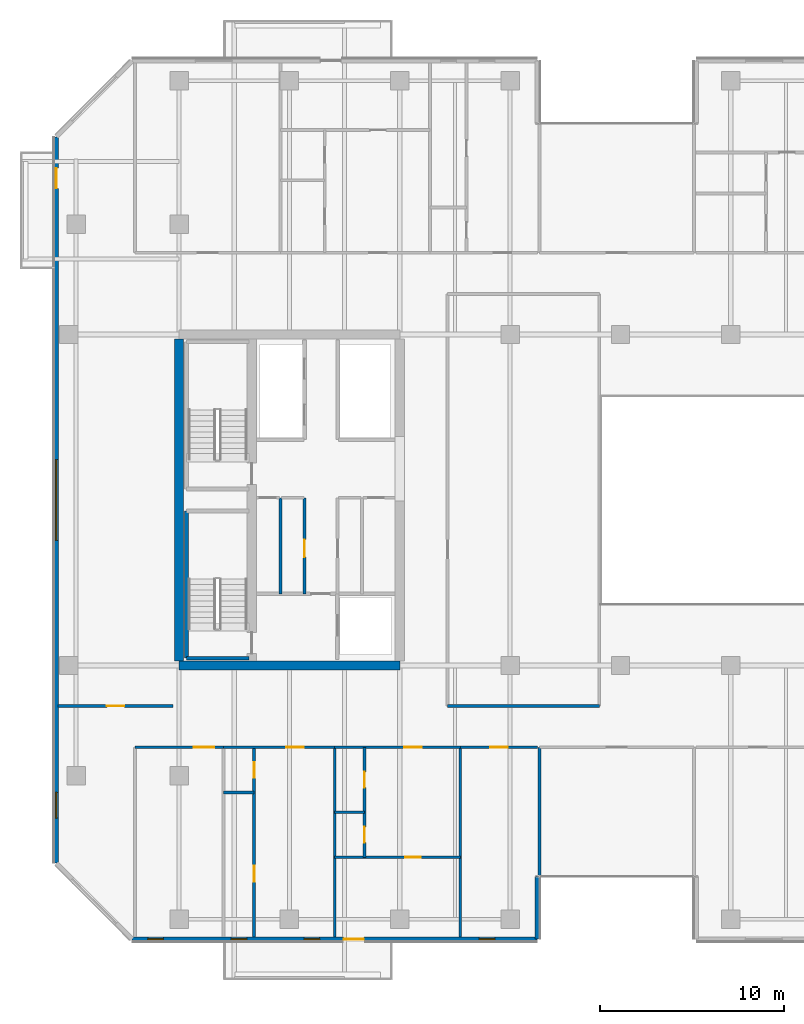
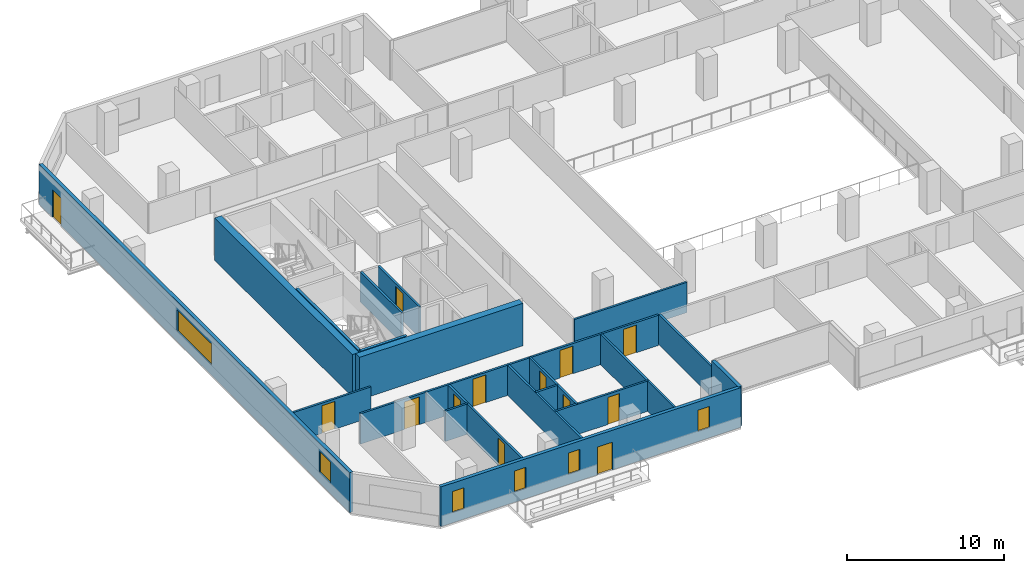
# One storey, part 10 of 23: 23 walls, 13 doors, 6 windows, 19 openings.
"""IFC4 building model written with IfcOpenShell, lengths in metres."""

from ifc_helpers import new_model, si_unit, direction, frame, frame_2d, origin, place, context, subcontext, project, spatial, rectangle, extrude, material, layer, layer_set, type_object, element, fill, save


model = new_model("IFC4")

# Units and contexts
model_context = context("Model", 3, precision=1e-05, world=origin(), true_north=direction((0.0, 1.0)))
body_context = subcontext(model_context, "Body", "Model", "MODEL_VIEW")
ifc_project = project(units=[si_unit("LENGTHUNIT", "METRE"), si_unit("AREAUNIT", "SQUARE_METRE"), si_unit("VOLUMEUNIT", "CUBIC_METRE"), si_unit("PLANEANGLEUNIT", "RADIAN"), si_unit("MASSUNIT", "GRAM", prefix="KILO")], contexts=[model_context])

# Site, building, storey
site_placement = place(None, origin())
site = spatial("IfcSite", under=ifc_project, at=site_placement, CompositionType="ELEMENT")
building_placement = place(site_placement, origin())
building = spatial("IfcBuilding", under=site, at=building_placement, Name="Tanjung Sevakor Pilgrim Tower", CompositionType="ELEMENT")
storey_placement = place(building_placement, frame((0.0, 0.0, 88.77001953125)))
storey = spatial("IfcBuildingStorey", under=building, at=storey_placement, Name="L24", CompositionType="ELEMENT", Elevation=88.77001953125)

# Walls
ifc_material_1 = material(Name="Concrete C60/75", Category="concrete")
ifc_layer_1 = layer(ifc_material_1, 0.5)
ifc_layer_set_1 = layer_set([ifc_layer_1], Name="WALL-CW-500")
wall_type_1 = type_object("IfcWallType", Name="WALL-CW-500", PredefinedType="SHEAR", material=ifc_layer_set_1)
wall_1_placement = place(storey_placement, frame((24.0, 24.60009765625, 0.0), z_axis=(0.0, 0.0, 1.0), x_axis=(1.0, 0.0, 0.0)))
element("IfcWall", 1, at=wall_1_placement, inside=storey, type_object=wall_type_1, Name="L24 W Core South Shear Wall", PredefinedType="SHEAR", context=body_context, shape_type="SweptSolid", body=[
    extrude(rectangle(XDim=12.0, YDim=0.5, at=frame_2d((6.0, 0.0))), origin(), (0.0, 0.0, 1.0), 3.300048828125),
])
wall_2_placement = place(storey_placement, frame((24.0, 24.85009765625, 0.0), z_axis=(0.0, 0.0, 1.0), x_axis=(0.0, 1.0, 0.0)))
element("IfcWall", 2, at=wall_2_placement, inside=storey, type_object=wall_type_1, Name="L24 W Core Outer Shear Wall", PredefinedType="SHEAR", context=body_context, shape_type="SweptSolid", body=[
    extrude(rectangle(XDim=17.5, YDim=0.5, at=frame_2d((8.75, 0.0))), origin(), (0.0, 0.0, 1.0), 3.300048828125),
])
ifc_material_2 = material(Name="Concrete C40/50", Category="concrete")
ifc_layer_2 = layer(ifc_material_2, 0.14990234375)
ifc_layer_set_2 = layer_set([ifc_layer_2], Name="WT-COMP-150")
wall_type_2 = type_object("IfcWallType", Name="WT-COMP-150", PredefinedType="SOLIDWALL", material=ifc_layer_set_2)
wall_3_placement = place(storey_placement, frame((29.52001953125, 28.5, 0.0), z_axis=(0.0, 0.0, 1.0), x_axis=(0.0, 1.0, 0.0)))
element("IfcWall", 3, at=wall_3_placement, inside=storey, type_object=wall_type_2, Name="L24 Partition IW-L24-003", PredefinedType="SOLIDWALL", context=body_context, shape_type="SweptSolid", body=[
    extrude(rectangle(XDim=5.219970703125, YDim=0.14990234375, at=frame_2d((2.60986328125, 0.0))), origin(), (0.0, 0.0, 1.0), 2.35009765625),
])

# Wall, opening, door
wall_4_placement = place(storey_placement, frame((30.820068359375, 28.5, 0.0), z_axis=(0.0, 0.0, 1.0), x_axis=(0.0, 1.0, 0.0)))
wall_4 = element("IfcWall", 4, at=wall_4_placement, inside=storey, type_object=wall_type_2, Name="L24 Partition IW-L24-006", PredefinedType="SOLIDWALL", context=body_context, shape_type="SweptSolid", body=[
    extrude(rectangle(XDim=5.219970703125, YDim=0.14990234375, at=frame_2d((2.60986328125, 0.0))), origin(), (0.0, 0.0, 1.0), 2.35009765625),
])
opening_1_placement = place(wall_4_placement, frame((2.0, 0.0, 0.0)))
opening_1 = element("IfcOpeningElement", 5, at=opening_1_placement, cuts=wall_4, Name="Opening ID-FD2", PredefinedType="OPENING", context=body_context, shape_type="SweptSolid", body=[
    extrude(rectangle(XDim=0.949951171875, YDim=2.14990234375, at=frame_2d((0.47509765625, 1.074951171875))), frame((0.0, 0.0849609375, 0.0), z_axis=(0.0, -1.0, 0.0), x_axis=(1.0, 0.0, 0.0)), (0.0, 0.0, 1.0), 0.169921875),
])
ifc_material_3 = material(Name="Fire-Rated Timber", Category="wood")
door_type_1 = type_object("IfcDoorType", Name="DT-FIRE-950", OperationType="NOTDEFINED", PredefinedType="DOOR", material=ifc_material_3)
door_1_placement = place(opening_1_placement, origin())
door_1 = element("IfcDoor", 6, at=door_1_placement, inside=storey, type_object=door_type_1, Name="L24 Housekeeping Pantry Door", OperationType="SINGLE_SWING_RIGHT", OverallHeight=2.14990234375, OverallWidth=0.949951171875, PredefinedType="DOOR", context=body_context, shape_type="SweptSolid", body=[
    extrude(rectangle(XDim=0.949951171875, YDim=2.14990234375, at=frame_2d((0.47509765625, 1.074951171875))), frame((0.0, 0.02490234375, 0.0), z_axis=(0.0, -1.0, 0.0), x_axis=(1.0, 0.0, 0.0)), (0.0, 0.0, 1.0), 0.050048828125),
])
fill(opening_1, door_1)

# Wall
wall_5_placement = place(storey_placement, frame((38.60009765625, 22.39990234375, 0.0), z_axis=(0.0, 0.0, 1.0), x_axis=(1.0, 0.0, 0.0)))
element("IfcWall", 7, at=wall_5_placement, inside=storey, type_object=wall_type_2, Name="L24 Partition IW-L24-029", PredefinedType="SOLIDWALL", context=body_context, shape_type="SweptSolid", body=[
    extrude(rectangle(XDim=8.25, YDim=0.14990234375, at=frame_2d((4.125, 0.0))), origin(), (0.0, 0.0, 1.0), 2.35009765625),
])

# Wall, opening, door
wall_6_placement = place(storey_placement, frame((17.409912109375, 22.39990234375, 0.0), z_axis=(0.0, 0.0, 1.0), x_axis=(1.0, 0.0, 0.0)))
wall_6 = element("IfcWall", 8, at=wall_6_placement, inside=storey, type_object=wall_type_2, Name="L24 Partition IW-L24-037", PredefinedType="SOLIDWALL", context=body_context, shape_type="SweptSolid", body=[
    extrude(rectangle(XDim=6.27001953125, YDim=0.14990234375, at=frame_2d((3.135009765625, 0.0))), origin(), (0.0, 0.0, 1.0), 2.35009765625),
])
opening_2_placement = place(wall_6_placement, frame((2.659912109375, 0.0, 0.0)))
opening_2 = element("IfcOpeningElement", 9, at=opening_2_placement, cuts=wall_6, Name="Opening ID-FD2", PredefinedType="OPENING", context=body_context, shape_type="SweptSolid", body=[
    extrude(rectangle(XDim=0.949951171875, YDim=2.14990234375, at=frame_2d((0.47509765625, 1.074951171875))), frame((0.0, 0.0849609375, 0.0), z_axis=(0.0, -1.0, 0.0), x_axis=(1.0, 0.0, 0.0)), (0.0, 0.0, 1.0), 0.169921875),
])
door_2_placement = place(opening_2_placement, origin())
door_2 = element("IfcDoor", 10, at=door_2_placement, inside=storey, type_object=door_type_1, Name="Study Room Entrance", OperationType="SINGLE_SWING_LEFT", OverallHeight=2.14990234375, OverallWidth=0.949951171875, PredefinedType="DOOR", context=body_context, shape_type="SweptSolid", body=[
    extrude(rectangle(XDim=0.949951171875, YDim=2.14990234375, at=frame_2d((0.47509765625, 1.074951171875))), frame((0.0, 0.02490234375, 0.0), z_axis=(0.0, -1.0, 0.0), x_axis=(1.0, 0.0, 0.0)), (0.0, 0.0, 1.0), 0.050048828125),
])
fill(opening_2, door_2)

# Wall
wall_7_placement = place(storey_placement, frame((43.60009765625, 9.85009765625, 0.0), z_axis=(0.0, 0.0, 1.0), x_axis=(0.0, 1.0, 0.0)))
element("IfcWall", 11, at=wall_7_placement, inside=storey, type_object=wall_type_2, Name="L24 Partition IW-L24-046", PredefinedType="SOLIDWALL", context=body_context, shape_type="SweptSolid", body=[
    extrude(rectangle(XDim=10.2998046875, YDim=0.14990234375, at=frame_2d((5.14990234375, 0.0))), origin(), (0.0, 0.0, 1.0), 2.35009765625),
])

# Wall, opening, door
wall_8_placement = place(storey_placement, frame((21.60009765625, 20.14990234375, 0.0), z_axis=(0.0, 0.0, 1.0), x_axis=(1.0, 0.0, 0.0)))
wall_8 = element("IfcWall", 12, at=wall_8_placement, inside=storey, type_object=wall_type_2, Name="L24 Partition IW-L24-053", PredefinedType="SOLIDWALL", context=body_context, shape_type="SweptSolid", body=[
    extrude(rectangle(XDim=4.810302734375, YDim=0.14990234375, at=frame_2d((2.4052734375, 0.0))), origin(), (0.0, 0.0, 1.0), 2.35009765625),
])
opening_3_placement = place(wall_8_placement, frame((3.205078125, 0.0, 0.0)))
opening_3 = element("IfcOpeningElement", 13, at=opening_3_placement, cuts=wall_8, Name="Opening ID-FD0", PredefinedType="OPENING", context=body_context, shape_type="SweptSolid", body=[
    extrude(rectangle(XDim=1.10009765625, YDim=2.14990234375, at=frame_2d((0.550048828125, 1.074951171875))), frame((0.0, 0.0849609375, 0.0), z_axis=(0.0, -1.0, 0.0), x_axis=(1.0, 0.0, 0.0)), (0.0, 0.0, 1.0), 0.169921875),
])
ifc_material_4 = material(Name="Fire-Rated Steel S355J2", Category="steel")
door_type_2 = type_object("IfcDoorType", Name="DT-FIRE-1100", OperationType="NOTDEFINED", PredefinedType="DOOR", material=ifc_material_4)
door_3_placement = place(opening_3_placement, origin())
door_3 = element("IfcDoor", 14, at=door_3_placement, inside=storey, type_object=door_type_2, Name="Communal Lounge Door", OperationType="SINGLE_SWING_LEFT", OverallHeight=2.14990234375, OverallWidth=1.10009765625, PredefinedType="DOOR", context=body_context, shape_type="SweptSolid", body=[
    extrude(rectangle(XDim=1.10009765625, YDim=2.14990234375, at=frame_2d((0.550048828125, 1.074951171875))), frame((0.0, 0.02490234375, 0.0), z_axis=(0.0, -1.0, 0.0), x_axis=(1.0, 0.0, 0.0)), (0.0, 0.0, 1.0), 0.050048828125),
])
fill(opening_3, door_3)

# Wall
wall_9_placement = place(storey_placement, frame((32.46240234375, 9.85009765625, 0.0), z_axis=(0.0, 0.0, 1.0), x_axis=(0.0, 1.0, 0.0)))
element("IfcWall", 15, at=wall_9_placement, inside=storey, type_object=wall_type_2, Name="L24 Partition IW-L24-054", PredefinedType="SOLIDWALL", context=body_context, shape_type="SweptSolid", body=[
    extrude(rectangle(XDim=10.2998046875, YDim=0.14990234375, at=frame_2d((5.14990234375, 0.0))), origin(), (0.0, 0.0, 1.0), 2.35009765625),
])

# Wall, opening, door
wall_10_placement = place(storey_placement, frame((26.410400390625, 20.14990234375, 0.0), z_axis=(0.0, 0.0, 1.0), x_axis=(1.0, 0.0, 0.0)))
wall_10 = element("IfcWall", 16, at=wall_10_placement, inside=storey, type_object=wall_type_2, Name="L24 Partition IW-L24-057", PredefinedType="SOLIDWALL", context=body_context, shape_type="SweptSolid", body=[
    extrude(rectangle(XDim=6.052001953125, YDim=0.14990234375, at=frame_2d((3.02587890625, 0.0))), origin(), (0.0, 0.0, 1.0), 2.35009765625),
])
opening_4_placement = place(wall_10_placement, frame((3.42578125, 0.0, 0.0)))
opening_4 = element("IfcOpeningElement", 17, at=opening_4_placement, cuts=wall_10, Name="Opening ID-FD2", PredefinedType="OPENING", context=body_context, shape_type="SweptSolid", body=[
    extrude(rectangle(XDim=0.949951171875, YDim=2.14990234375, at=frame_2d((0.47509765625, 1.074951171875))), frame((0.0, 0.0849609375, 0.0), z_axis=(0.0, -1.0, 0.0), x_axis=(1.0, 0.0, 0.0)), (0.0, 0.0, 1.0), 0.169921875),
])
door_4_placement = place(opening_4_placement, origin())
door_4 = element("IfcDoor", 18, at=door_4_placement, inside=storey, type_object=door_type_1, Name="Hostel Quad Entrance", OperationType="SINGLE_SWING_RIGHT", OverallHeight=2.14990234375, OverallWidth=0.949951171875, PredefinedType="DOOR", context=body_context, shape_type="SweptSolid", body=[
    extrude(rectangle(XDim=0.949951171875, YDim=2.14990234375, at=frame_2d((0.47509765625, 1.074951171875))), frame((0.0, 0.02490234375, 0.0), z_axis=(0.0, -1.0, 0.0), x_axis=(1.0, 0.0, 0.0)), (0.0, 0.0, 1.0), 0.050048828125),
])
fill(opening_4, door_4)

# Wall
wall_11_placement = place(storey_placement, frame((39.290283203125, 9.85009765625, 0.0), z_axis=(0.0, 0.0, 1.0), x_axis=(0.0, 1.0, 0.0)))
element("IfcWall", 19, at=wall_11_placement, inside=storey, type_object=wall_type_2, Name="L24 Partition IW-L24-058", PredefinedType="SOLIDWALL", context=body_context, shape_type="SweptSolid", body=[
    extrude(rectangle(XDim=10.2998046875, YDim=0.14990234375, at=frame_2d((5.14990234375, 0.0))), origin(), (0.0, 0.0, 1.0), 2.35009765625),
])

# Wall, opening, door
wall_12_placement = place(storey_placement, frame((32.46240234375, 20.14990234375, 0.0), z_axis=(0.0, 0.0, 1.0), x_axis=(1.0, 0.0, 0.0)))
wall_12 = element("IfcWall", 20, at=wall_12_placement, inside=storey, type_object=wall_type_2, Name="L24 Partition IW-L24-062", PredefinedType="SOLIDWALL", context=body_context, shape_type="SweptSolid", body=[
    extrude(rectangle(XDim=6.827880859375, YDim=0.14990234375, at=frame_2d((3.4140625, 0.0))), origin(), (0.0, 0.0, 1.0), 2.35009765625),
])
opening_5_placement = place(wall_12_placement, frame((3.78759765625, 0.0, 0.0)))
opening_5 = element("IfcOpeningElement", 21, at=opening_5_placement, cuts=wall_12, Name="Opening ID-FD2", PredefinedType="OPENING", context=body_context, shape_type="SweptSolid", body=[
    extrude(rectangle(XDim=0.949951171875, YDim=2.14990234375, at=frame_2d((0.47509765625, 1.074951171875))), frame((0.0, 0.0849609375, 0.0), z_axis=(0.0, -1.0, 0.0), x_axis=(1.0, 0.0, 0.0)), (0.0, 0.0, 1.0), 0.169921875),
])
door_5_placement = place(opening_5_placement, origin())
door_5 = element("IfcDoor", 22, at=door_5_placement, inside=storey, type_object=door_type_1, Name="Residence Entrance", OperationType="SINGLE_SWING_RIGHT", OverallHeight=2.14990234375, OverallWidth=0.949951171875, PredefinedType="DOOR", context=body_context, shape_type="SweptSolid", body=[
    extrude(rectangle(XDim=0.949951171875, YDim=2.14990234375, at=frame_2d((0.47509765625, 1.074951171875))), frame((0.0, 0.02490234375, 0.0), z_axis=(0.0, -1.0, 0.0), x_axis=(1.0, 0.0, 0.0)), (0.0, 0.0, 1.0), 0.050048828125),
])
fill(opening_5, door_5)

wall_13_placement = place(storey_placement, frame((39.290283203125, 20.14990234375, 0.0), z_axis=(0.0, 0.0, 1.0), x_axis=(1.0, 0.0, 0.0)))
wall_13 = element("IfcWall", 23, at=wall_13_placement, inside=storey, type_object=wall_type_2, Name="L24 Partition IW-L24-063", PredefinedType="SOLIDWALL", context=body_context, shape_type="SweptSolid", body=[
    extrude(rectangle(XDim=4.189697265625, YDim=0.14990234375, at=frame_2d((2.0947265625, 0.0))), origin(), (0.0, 0.0, 1.0), 2.35009765625),
])
opening_6_placement = place(wall_13_placement, frame((1.619873046875, 0.0, 0.0)))
opening_6 = element("IfcOpeningElement", 24, at=opening_6_placement, cuts=wall_13, Name="Opening ID-FD2", PredefinedType="OPENING", context=body_context, shape_type="SweptSolid", body=[
    extrude(rectangle(XDim=0.949951171875, YDim=2.14990234375, at=frame_2d((0.47509765625, 1.074951171875))), frame((0.0, 0.0849609375, 0.0), z_axis=(0.0, -1.0, 0.0), x_axis=(1.0, 0.0, 0.0)), (0.0, 0.0, 1.0), 0.169921875),
])
door_6_placement = place(opening_6_placement, origin())
door_6 = element("IfcDoor", 25, at=door_6_placement, inside=storey, type_object=door_type_1, Name="Study Room Entrance", OperationType="SINGLE_SWING_LEFT", OverallHeight=2.14990234375, OverallWidth=0.949951171875, PredefinedType="DOOR", context=body_context, shape_type="SweptSolid", body=[
    extrude(rectangle(XDim=0.949951171875, YDim=2.14990234375, at=frame_2d((0.47509765625, 1.074951171875))), frame((0.0, 0.02490234375, 0.0), z_axis=(0.0, -1.0, 0.0), x_axis=(1.0, 0.0, 0.0)), (0.0, 0.0, 1.0), 0.050048828125),
])
fill(opening_6, door_6)

# Wall, openings, door, windows
ifc_material_5 = material(Name="Precast concrete C45/55", Category="concrete")
ifc_layer_3 = layer(ifc_material_5, 0.25)
ifc_layer_set_3 = layer_set([ifc_layer_3], Name="WT-EW-STN3")
wall_type_3 = type_object("IfcWallType", Name="WT-EW-STN3", PredefinedType="SOLIDWALL", material=ifc_layer_set_3)
wall_14_placement = place(storey_placement, frame((21.451904296875, 9.72509765625, 0.0), z_axis=(0.0, 0.0, 1.0), x_axis=(1.0, 0.0, 0.0)))
wall_14 = element("IfcWall", 26, at=wall_14_placement, inside=storey, type_object=wall_type_3, Name="L24 MAIN Exterior Wall 1", PredefinedType="SOLIDWALL", context=body_context, shape_type="SweptSolid", body=[
    extrude(rectangle(XDim=22.023193359375, YDim=0.25, at=frame_2d((11.01171875, 0.0))), origin(), (0.0, 0.0, 1.0), 3.080078125),
])
opening_7_placement = place(wall_14_placement, frame((11.498291015625, 0.0, 0.0)))
opening_7 = element("IfcOpeningElement", 27, at=opening_7_placement, cuts=wall_14, Name="Opening ED-BAL-1100", PredefinedType="OPENING", context=body_context, shape_type="SweptSolid", body=[
    extrude(rectangle(XDim=1.10009765625, YDim=2.14990234375, at=frame_2d((0.550048828125, 1.074951171875))), frame((0.0, 0.135009765625, 0.0), z_axis=(0.0, -1.0, 0.0), x_axis=(1.0, 0.0, 0.0)), (0.0, 0.0, 1.0), 0.27001953125),
])
opening_8_placement = place(wall_14_placement, frame((0.848388671875, 0.0, 0.780029296875)))
opening_8 = element("IfcOpeningElement", 28, at=opening_8_placement, cuts=wall_14, Name="Opening WN-SLM", PredefinedType="OPENING", context=body_context, shape_type="SweptSolid", body=[
    extrude(rectangle(XDim=0.85009765625, YDim=1.64990234375, at=frame_2d((0.425048828125, 0.824951171875))), frame((0.0, 0.135009765625, 0.0), z_axis=(0.0, -1.0, 0.0), x_axis=(1.0, 0.0, 0.0)), (0.0, 0.0, 1.0), 0.27001953125),
])
opening_9_placement = place(wall_14_placement, frame((5.37841796875, 0.0, 0.780029296875)))
opening_9 = element("IfcOpeningElement", 29, at=opening_9_placement, cuts=wall_14, Name="Opening WN-SLM", PredefinedType="OPENING", context=body_context, shape_type="SweptSolid", body=[
    extrude(rectangle(XDim=0.85009765625, YDim=1.64990234375, at=frame_2d((0.425048828125, 0.824951171875))), frame((0.0, 0.135009765625, 0.0), z_axis=(0.0, -1.0, 0.0), x_axis=(1.0, 0.0, 0.0)), (0.0, 0.0, 1.0), 0.27001953125),
])
opening_10_placement = place(wall_14_placement, frame((9.344482421875, 0.0, 0.780029296875)))
opening_10 = element("IfcOpeningElement", 30, at=opening_10_placement, cuts=wall_14, Name="Opening WN-SLM", PredefinedType="OPENING", context=body_context, shape_type="SweptSolid", body=[
    extrude(rectangle(XDim=0.85009765625, YDim=1.64990234375, at=frame_2d((0.425048828125, 0.824951171875))), frame((0.0, 0.135009765625, 0.0), z_axis=(0.0, -1.0, 0.0), x_axis=(1.0, 0.0, 0.0)), (0.0, 0.0, 1.0), 0.27001953125),
])
opening_11_placement = place(wall_14_placement, frame((18.868408203125, 0.0, 0.780029296875)))
opening_11 = element("IfcOpeningElement", 31, at=opening_11_placement, cuts=wall_14, Name="Opening WN-SLM", PredefinedType="OPENING", context=body_context, shape_type="SweptSolid", body=[
    extrude(rectangle(XDim=0.85009765625, YDim=1.64990234375, at=frame_2d((0.425048828125, 0.824951171875))), frame((0.0, 0.135009765625, 0.0), z_axis=(0.0, -1.0, 0.0), x_axis=(1.0, 0.0, 0.0)), (0.0, 0.0, 1.0), 0.27001953125),
])
ifc_material_6 = material(Name="Anodised Aluminium and Laminated Glass", Category="aluminium")
door_type_3 = type_object("IfcDoorType", Name="DTYP-ED-BAL-1100", OperationType="NOTDEFINED", PredefinedType="DOOR", material=ifc_material_6)
door_7_placement = place(opening_7_placement, frame((1.10009765625, 0.0, 0.0), z_axis=(0.0, 0.0, 1.0), x_axis=(-1.0, 0.0, 0.0)))
door_7 = element("IfcDoor", 32, at=door_7_placement, inside=storey, type_object=door_type_3, Name="L24 Balcony Door MAIN-S1", OperationType="SINGLE_SWING_RIGHT", OverallHeight=2.14990234375, OverallWidth=1.10009765625, PredefinedType="DOOR", context=body_context, shape_type="SweptSolid", body=[
    extrude(rectangle(XDim=1.10009765625, YDim=2.14990234375, at=frame_2d((0.550048828125, 1.074951171875))), frame((0.0, 0.02490234375, 0.0), z_axis=(0.0, -1.0, 0.0), x_axis=(1.0, 0.0, 0.0)), (0.0, 0.0, 1.0), 0.050048828125),
])
fill(opening_7, door_7)
ifc_material_7 = material(Name="Thermally Broken Aluminium and Low-E Glass", Category="aluminium")
window_type_1 = type_object("IfcWindowType", Name="WTYP-WN-SLM", PartitioningType="SINGLE_PANEL", PredefinedType="WINDOW", material=ifc_material_7)
window_1_placement = place(opening_8_placement, origin())
window_1 = element("IfcWindow", 33, at=window_1_placement, inside=storey, type_object=window_type_1, Name="L24 Facade Window 01", OverallHeight=1.64990234375, OverallWidth=0.85009765625, PartitioningType="SINGLE_PANEL", PredefinedType="WINDOW", context=body_context, shape_type="SweptSolid", body=[
    extrude(rectangle(XDim=0.85009765625, YDim=1.64990234375, at=frame_2d((0.425048828125, 0.824951171875))), frame((0.0, 0.030029296875, 0.0), z_axis=(0.0, -1.0, 0.0), x_axis=(1.0, 0.0, 0.0)), (0.0, 0.0, 1.0), 0.06005859375),
])
fill(opening_8, window_1)
window_2_placement = place(opening_9_placement, origin())
window_2 = element("IfcWindow", 34, at=window_2_placement, inside=storey, type_object=window_type_1, Name="L24 Facade Window 02", OverallHeight=1.64990234375, OverallWidth=0.85009765625, PartitioningType="SINGLE_PANEL", PredefinedType="WINDOW", context=body_context, shape_type="SweptSolid", body=[
    extrude(rectangle(XDim=0.85009765625, YDim=1.64990234375, at=frame_2d((0.425048828125, 0.824951171875))), frame((0.0, 0.030029296875, 0.0), z_axis=(0.0, -1.0, 0.0), x_axis=(1.0, 0.0, 0.0)), (0.0, 0.0, 1.0), 0.06005859375),
])
fill(opening_9, window_2)
window_3_placement = place(opening_10_placement, origin())
window_3 = element("IfcWindow", 35, at=window_3_placement, inside=storey, type_object=window_type_1, Name="L24 Facade Window 03", OverallHeight=1.64990234375, OverallWidth=0.85009765625, PartitioningType="SINGLE_PANEL", PredefinedType="WINDOW", context=body_context, shape_type="SweptSolid", body=[
    extrude(rectangle(XDim=0.85009765625, YDim=1.64990234375, at=frame_2d((0.425048828125, 0.824951171875))), frame((0.0, 0.030029296875, 0.0), z_axis=(0.0, -1.0, 0.0), x_axis=(1.0, 0.0, 0.0)), (0.0, 0.0, 1.0), 0.06005859375),
])
fill(opening_10, window_3)
window_4_placement = place(opening_11_placement, origin())
window_4 = element("IfcWindow", 36, at=window_4_placement, inside=storey, type_object=window_type_1, Name="L24 Facade Window 04", OverallHeight=1.64990234375, OverallWidth=0.85009765625, PartitioningType="SINGLE_PANEL", PredefinedType="WINDOW", context=body_context, shape_type="SweptSolid", body=[
    extrude(rectangle(XDim=0.85009765625, YDim=1.64990234375, at=frame_2d((0.425048828125, 0.824951171875))), frame((0.0, 0.030029296875, 0.0), z_axis=(0.0, -1.0, 0.0), x_axis=(1.0, 0.0, 0.0)), (0.0, 0.0, 1.0), 0.06005859375),
])
fill(opening_11, window_4)

# Wall
wall_15_placement = place(storey_placement, frame((43.47509765625, 9.72509765625, 0.0), z_axis=(0.0, 0.0, 1.0), x_axis=(0.0, 1.0, 0.0)))
element("IfcWall", 37, at=wall_15_placement, inside=storey, type_object=wall_type_3, Name="L24 MAIN Exterior Wall 2", PredefinedType="SOLIDWALL", context=body_context, shape_type="SweptSolid", body=[
    extrude(rectangle(XDim=3.39990234375, YDim=0.25, at=frame_2d((1.699951171875, 0.0))), origin(), (0.0, 0.0, 1.0), 3.080078125),
])

# Wall, openings, door, windows
wall_16_placement = place(storey_placement, frame((17.324951171875, 53.34814453125, 0.0), z_axis=(0.0, 0.0, 1.0), x_axis=(0.0, -1.0, 0.0)))
wall_16 = element("IfcWall", 38, at=wall_16_placement, inside=storey, type_object=wall_type_3, Name="L24 MAIN Exterior Wall 15", PredefinedType="SOLIDWALL", context=body_context, shape_type="SweptSolid", body=[
    extrude(rectangle(XDim=39.496337890625, YDim=0.25, at=frame_2d((19.748046875, 0.0))), origin(), (0.0, 0.0, 1.0), 3.080078125),
])
opening_12_placement = place(wall_16_placement, frame((1.6982421875, 0.0, 0.0)))
opening_12 = element("IfcOpeningElement", 39, at=opening_12_placement, cuts=wall_16, Name="Opening ED-BAL-1100", PredefinedType="OPENING", context=body_context, shape_type="SweptSolid", body=[
    extrude(rectangle(XDim=1.10009765625, YDim=2.14990234375, at=frame_2d((0.550048828125, 1.074951171875))), frame((0.0, 0.135009765625, 0.0), z_axis=(0.0, -1.0, 0.0), x_axis=(1.0, 0.0, 0.0)), (0.0, 0.0, 1.0), 0.27001953125),
])
opening_13_placement = place(wall_16_placement, frame((17.548095703125, 0.0, 0.780029296875)))
opening_13 = element("IfcOpeningElement", 40, at=opening_13_placement, cuts=wall_16, Name="Opening WN-ENDW-1660", PredefinedType="OPENING", context=body_context, shape_type="SweptSolid", body=[
    extrude(rectangle(XDim=4.39990234375, YDim=1.659912109375, at=frame_2d((2.199951171875, 0.830078125))), frame((0.0, 0.135009765625, 0.0), z_axis=(0.0, -1.0, 0.0), x_axis=(1.0, 0.0, 0.0)), (0.0, 0.0, 1.0), 0.27001953125),
])
opening_14_placement = place(wall_16_placement, frame((35.642333984375, 0.0, 0.780029296875)))
opening_14 = element("IfcOpeningElement", 41, at=opening_14_placement, cuts=wall_16, Name="Opening WN-END", PredefinedType="OPENING", context=body_context, shape_type="SweptSolid", body=[
    extrude(rectangle(XDim=1.39990234375, YDim=1.64990234375, at=frame_2d((0.699951171875, 0.824951171875))), frame((0.0, 0.135009765625, 0.0), z_axis=(0.0, -1.0, 0.0), x_axis=(1.0, 0.0, 0.0)), (0.0, 0.0, 1.0), 0.27001953125),
])
door_8_placement = place(opening_12_placement, frame((1.10009765625, 0.0, 0.0), z_axis=(0.0, 0.0, 1.0), x_axis=(-1.0, 0.0, 0.0)))
door_8 = element("IfcDoor", 42, at=door_8_placement, inside=storey, type_object=door_type_3, Name="L24 West Loggia Door MAIN-W1", OperationType="SINGLE_SWING_LEFT", OverallHeight=2.14990234375, OverallWidth=1.10009765625, PredefinedType="DOOR", context=body_context, shape_type="SweptSolid", body=[
    extrude(rectangle(XDim=1.10009765625, YDim=2.14990234375, at=frame_2d((0.550048828125, 1.074951171875))), frame((0.0, 0.02490234375, 0.0), z_axis=(0.0, -1.0, 0.0), x_axis=(1.0, 0.0, 0.0)), (0.0, 0.0, 1.0), 0.050048828125),
])
fill(opening_12, door_8)
ifc_material_8 = material(Name="Thermally Broken Aluminium and Low-E Glass", Category="aluminium")
window_type_2 = type_object("IfcWindowType", Name="WTYP-WN-END", PartitioningType="SINGLE_PANEL", PredefinedType="WINDOW", material=ifc_material_8)
window_5_placement = place(opening_14_placement, origin())
window_5 = element("IfcWindow", 43, at=window_5_placement, inside=storey, type_object=window_type_2, Name="L24 Facade Window 02", OverallHeight=1.64990234375, OverallWidth=1.39990234375, PartitioningType="SINGLE_PANEL", PredefinedType="WINDOW", context=body_context, shape_type="SweptSolid", body=[
    extrude(rectangle(XDim=1.39990234375, YDim=1.64990234375, at=frame_2d((0.699951171875, 0.824951171875))), frame((0.0, 0.030029296875, 0.0), z_axis=(0.0, -1.0, 0.0), x_axis=(1.0, 0.0, 0.0)), (0.0, 0.0, 1.0), 0.06005859375),
])
fill(opening_14, window_5)
ifc_material_9 = material(Name="Thermally Broken Aluminium and Low-E Glass", Category="aluminium")
window_type_3 = type_object("IfcWindowType", Name="WTYP-WN-ENDW-1660", PartitioningType="DOUBLE_PANEL_VERTICAL", PredefinedType="WINDOW", material=ifc_material_9)
window_6_placement = place(opening_13_placement, origin())
window_6 = element("IfcWindow", 44, at=window_6_placement, inside=storey, type_object=window_type_3, Name="L24 Facade Window 01", OverallHeight=1.659912109375, OverallWidth=4.39990234375, PartitioningType="SINGLE_PANEL", PredefinedType="WINDOW", context=body_context, shape_type="SweptSolid", body=[
    extrude(rectangle(XDim=4.39990234375, YDim=1.659912109375, at=frame_2d((2.199951171875, 0.830078125))), frame((0.0, 0.030029296875, 0.0), z_axis=(0.0, -1.0, 0.0), x_axis=(1.0, 0.0, 0.0)), (0.0, 0.0, 1.0), 0.06005859375),
])
fill(opening_13, window_6)

# Walls
ifc_material_10 = material(Name="Concrete C40/50", Category="concrete")
ifc_layer_4 = layer(ifc_material_10, 0.199951171875)
ifc_layer_set_4 = layer_set([ifc_layer_4], Name="WT-FIRE-200")
wall_type_4 = type_object("IfcWallType", Name="WT-FIRE-200", PredefinedType="SOLIDWALL", material=ifc_layer_set_4)
wall_17_placement = place(storey_placement, frame((24.39990234375, 25.0, 0.0), z_axis=(0.0, 0.0, 1.0), x_axis=(1.0, 0.0, 0.0)))
element("IfcWall", 45, at=wall_17_placement, inside=storey, type_object=wall_type_4, Name="L24 TS-W1 Shaft Wall 1", PredefinedType="SOLIDWALL", context=body_context, shape_type="SweptSolid", body=[
    extrude(rectangle(XDim=3.400146484375, YDim=0.199951171875, at=frame_2d((1.7001953125, 0.0))), origin(), (0.0, 0.0, 1.0), 3.300048828125),
])
wall_18_placement = place(storey_placement, frame((24.39990234375, 33.0, 0.0), z_axis=(0.0, 0.0, 1.0), x_axis=(0.0, -1.0, 0.0)))
element("IfcWall", 46, at=wall_18_placement, inside=storey, type_object=wall_type_4, Name="L24 TS-W1 Shaft Wall 3", PredefinedType="SOLIDWALL", context=body_context, shape_type="SweptSolid", body=[
    extrude(rectangle(XDim=8.0, YDim=0.199951171875, at=frame_2d((4.0, 0.0))), origin(), (0.0, 0.0, 1.0), 3.300048828125),
])
ifc_material_11 = material(Name="Gypsum Board Partition", Category="gypsum board")
ifc_layer_5 = layer(ifc_material_11, 0.14990234375)
ifc_layer_set_5 = layer_set([ifc_layer_5], Name="WT-PART-150")
wall_type_5 = type_object("IfcWallType", Name="WT-PART-150", PredefinedType="PARTITIONING", material=ifc_layer_set_5)
wall_19_placement = place(storey_placement, frame((26.410400390625, 17.699951171875, 0.0), z_axis=(0.0, 0.0, 1.0), x_axis=(1.0, 0.0, 0.0)))
element("IfcWall", 47, at=wall_19_placement, inside=storey, type_object=wall_type_5, Name="L24 Partition IW-L24-055", PredefinedType="PARTITIONING", context=body_context, shape_type="SweptSolid", body=[
    extrude(rectangle(XDim=1.669677734375, YDim=0.14990234375, at=frame_2d((0.8349609375, 0.0))), origin(), (0.0, 0.0, 1.0), 2.35009765625),
])

# Wall, openings, doors
wall_20_placement = place(storey_placement, frame((28.080078125, 9.85009765625, 0.0), z_axis=(0.0, 0.0, 1.0), x_axis=(0.0, 1.0, 0.0)))
wall_20 = element("IfcWall", 48, at=wall_20_placement, inside=storey, type_object=wall_type_5, Name="L24 Partition IW-L24-056", PredefinedType="PARTITIONING", context=body_context, shape_type="SweptSolid", body=[
    extrude(rectangle(XDim=10.2998046875, YDim=0.14990234375, at=frame_2d((5.14990234375, 0.0))), origin(), (0.0, 0.0, 1.0), 2.35009765625),
])
opening_15_placement = place(wall_20_placement, frame((3.0, 0.0, 0.0)))
opening_15 = element("IfcOpeningElement", 49, at=opening_15_placement, cuts=wall_20, Name="Opening ID-WC1", PredefinedType="OPENING", context=body_context, shape_type="SweptSolid", body=[
    extrude(rectangle(XDim=0.85009765625, YDim=2.10009765625, at=frame_2d((0.425048828125, 1.050048828125))), frame((0.0, 0.0849609375, 0.0), z_axis=(0.0, -1.0, 0.0), x_axis=(1.0, 0.0, 0.0)), (0.0, 0.0, 1.0), 0.169921875),
])
opening_16_placement = place(wall_20_placement, frame((8.64990234375, 0.0, 0.0)))
opening_16 = element("IfcOpeningElement", 50, at=opening_16_placement, cuts=wall_20, Name="Opening ID-WC1", PredefinedType="OPENING", context=body_context, shape_type="SweptSolid", body=[
    extrude(rectangle(XDim=0.85009765625, YDim=2.10009765625, at=frame_2d((0.425048828125, 1.050048828125))), frame((0.0, 0.0849609375, 0.0), z_axis=(0.0, -1.0, 0.0), x_axis=(1.0, 0.0, 0.0)), (0.0, 0.0, 1.0), 0.169921875),
])
ifc_material_12 = material(Name="Moisture-Resistant Timber", Category="wood")
door_type_4 = type_object("IfcDoorType", Name="DT-INT-850", OperationType="NOTDEFINED", PredefinedType="DOOR", material=ifc_material_12)
door_9_placement = place(opening_15_placement, origin())
door_9 = element("IfcDoor", 51, at=door_9_placement, inside=storey, type_object=door_type_4, Name="Study Nook Door", OperationType="SINGLE_SWING_RIGHT", OverallHeight=2.10009765625, OverallWidth=0.85009765625, PredefinedType="DOOR", context=body_context, shape_type="SweptSolid", body=[
    extrude(rectangle(XDim=0.85009765625, YDim=2.10009765625, at=frame_2d((0.425048828125, 1.050048828125))), frame((0.0, 0.02490234375, 0.0), z_axis=(0.0, -1.0, 0.0), x_axis=(1.0, 0.0, 0.0)), (0.0, 0.0, 1.0), 0.050048828125),
])
fill(opening_15, door_9)
door_10_placement = place(opening_16_placement, origin())
door_10 = element("IfcDoor", 52, at=door_10_placement, inside=storey, type_object=door_type_4, Name="Bathroom Door", OperationType="SINGLE_SWING_LEFT", OverallHeight=2.10009765625, OverallWidth=0.85009765625, PredefinedType="DOOR", context=body_context, shape_type="SweptSolid", body=[
    extrude(rectangle(XDim=0.85009765625, YDim=2.10009765625, at=frame_2d((0.425048828125, 1.050048828125))), frame((0.0, 0.02490234375, 0.0), z_axis=(0.0, -1.0, 0.0), x_axis=(1.0, 0.0, 0.0)), (0.0, 0.0, 1.0), 0.050048828125),
])
fill(opening_16, door_10)

# Wall
wall_21_placement = place(storey_placement, frame((32.46240234375, 16.622314453125, 0.0), z_axis=(0.0, 0.0, 1.0), x_axis=(1.0, 0.0, 0.0)))
element("IfcWall", 53, at=wall_21_placement, inside=storey, type_object=wall_type_5, Name="L24 Partition IW-L24-059", PredefinedType="PARTITIONING", context=body_context, shape_type="SweptSolid", body=[
    extrude(rectangle(XDim=1.61767578125, YDim=0.14990234375, at=frame_2d((0.808837890625, 0.0))), origin(), (0.0, 0.0, 1.0), 2.35009765625),
])

# Wall, openings, doors
wall_22_placement = place(storey_placement, frame((34.080078125, 14.170654296875, 0.0), z_axis=(0.0, 0.0, 1.0), x_axis=(0.0, 1.0, 0.0)))
wall_22 = element("IfcWall", 54, at=wall_22_placement, inside=storey, type_object=wall_type_5, Name="L24 Partition IW-L24-060", PredefinedType="PARTITIONING", context=body_context, shape_type="SweptSolid", body=[
    extrude(rectangle(XDim=5.979248046875, YDim=0.14990234375, at=frame_2d((2.98974609375, 0.0))), origin(), (0.0, 0.0, 1.0), 2.35009765625),
])
opening_17_placement = place(wall_22_placement, frame((0.80078125, 0.0, 0.0)))
opening_17 = element("IfcOpeningElement", 55, at=opening_17_placement, cuts=wall_22, Name="Opening ID-WC1", PredefinedType="OPENING", context=body_context, shape_type="SweptSolid", body=[
    extrude(rectangle(XDim=0.85009765625, YDim=2.10009765625, at=frame_2d((0.425048828125, 1.050048828125))), frame((0.0, 0.0849609375, 0.0), z_axis=(0.0, -1.0, 0.0), x_axis=(1.0, 0.0, 0.0)), (0.0, 0.0, 1.0), 0.169921875),
])
opening_18_placement = place(wall_22_placement, frame((3.79052734375, 0.0, 0.0)))
opening_18 = element("IfcOpeningElement", 56, at=opening_18_placement, cuts=wall_22, Name="Opening ID-WC1", PredefinedType="OPENING", context=body_context, shape_type="SweptSolid", body=[
    extrude(rectangle(XDim=0.85009765625, YDim=2.10009765625, at=frame_2d((0.425048828125, 1.050048828125))), frame((0.0, 0.0849609375, 0.0), z_axis=(0.0, -1.0, 0.0), x_axis=(1.0, 0.0, 0.0)), (0.0, 0.0, 1.0), 0.169921875),
])
door_11_placement = place(opening_17_placement, origin())
door_11 = element("IfcDoor", 57, at=door_11_placement, inside=storey, type_object=door_type_4, Name="Residence Bathroom Door", OperationType="SINGLE_SWING_LEFT", OverallHeight=2.10009765625, OverallWidth=0.85009765625, PredefinedType="DOOR", context=body_context, shape_type="SweptSolid", body=[
    extrude(rectangle(XDim=0.85009765625, YDim=2.10009765625, at=frame_2d((0.425048828125, 1.050048828125))), frame((0.0, 0.02490234375, 0.0), z_axis=(0.0, -1.0, 0.0), x_axis=(1.0, 0.0, 0.0)), (0.0, 0.0, 1.0), 0.050048828125),
])
fill(opening_17, door_11)
door_12_placement = place(opening_18_placement, origin())
door_12 = element("IfcDoor", 58, at=door_12_placement, inside=storey, type_object=door_type_4, Name="Residence Kitchenette Door", OperationType="SINGLE_SWING_RIGHT", OverallHeight=2.10009765625, OverallWidth=0.85009765625, PredefinedType="DOOR", context=body_context, shape_type="SweptSolid", body=[
    extrude(rectangle(XDim=0.85009765625, YDim=2.10009765625, at=frame_2d((0.425048828125, 1.050048828125))), frame((0.0, 0.02490234375, 0.0), z_axis=(0.0, -1.0, 0.0), x_axis=(1.0, 0.0, 0.0)), (0.0, 0.0, 1.0), 0.050048828125),
])
fill(opening_18, door_12)

# Wall, opening, door
wall_23_placement = place(storey_placement, frame((32.46240234375, 14.170654296875, 0.0), z_axis=(0.0, 0.0, 1.0), x_axis=(1.0, 0.0, 0.0)))
wall_23 = element("IfcWall", 59, at=wall_23_placement, inside=storey, type_object=wall_type_5, Name="L24 Partition IW-L24-061", PredefinedType="PARTITIONING", context=body_context, shape_type="SweptSolid", body=[
    extrude(rectangle(XDim=6.827880859375, YDim=0.14990234375, at=frame_2d((3.4140625, 0.0))), origin(), (0.0, 0.0, 1.0), 2.35009765625),
])
opening_19_placement = place(wall_23_placement, frame((3.837646484375, 0.0, 0.0)))
opening_19 = element("IfcOpeningElement", 60, at=opening_19_placement, cuts=wall_23, Name="Opening ID-WC1", PredefinedType="OPENING", context=body_context, shape_type="SweptSolid", body=[
    extrude(rectangle(XDim=0.85009765625, YDim=2.10009765625, at=frame_2d((0.425048828125, 1.050048828125))), frame((0.0, 0.0849609375, 0.0), z_axis=(0.0, -1.0, 0.0), x_axis=(1.0, 0.0, 0.0)), (0.0, 0.0, 1.0), 0.169921875),
])
door_13_placement = place(opening_19_placement, origin())
door_13 = element("IfcDoor", 61, at=door_13_placement, inside=storey, type_object=door_type_4, Name="Residence Bedroom Door", OperationType="SINGLE_SWING_LEFT", OverallHeight=2.10009765625, OverallWidth=0.85009765625, PredefinedType="DOOR", context=body_context, shape_type="SweptSolid", body=[
    extrude(rectangle(XDim=0.85009765625, YDim=2.10009765625, at=frame_2d((0.425048828125, 1.050048828125))), frame((0.0, 0.02490234375, 0.0), z_axis=(0.0, -1.0, 0.0), x_axis=(1.0, 0.0, 0.0)), (0.0, 0.0, 1.0), 0.050048828125),
])
fill(opening_19, door_13)

save(model, "model.ifc")
